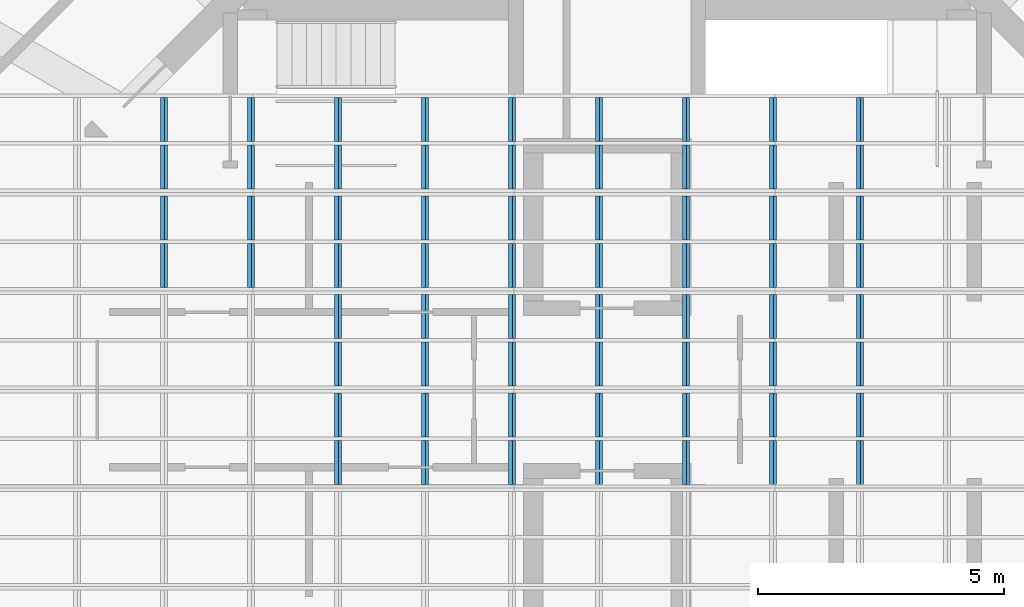
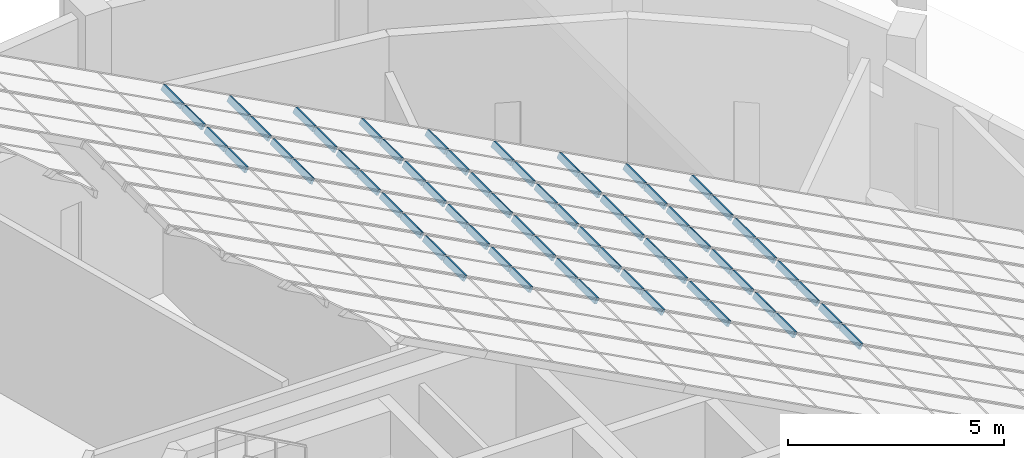
# One storey, part 6 of 19: 64 members, 4 elements without a shape of their own.
"""IFC4 building model written with IfcOpenShell, lengths in metres."""

from ifc_helpers import new_model, si_unit, direction, frame, origin, origin_2d, place, context, subcontext, project, spatial, rectangle, extrude, material, material_profile, profile_set, type_object, element, aggregate, save


model = new_model("IFC4")

# Units and contexts
model_context = context("Model", 3, precision=1e-05, world=origin(), true_north=direction((0.0, 1.0)))
body_context = subcontext(model_context, "Body", "Model", "MODEL_VIEW")
ifc_project = project(units=[si_unit("LENGTHUNIT", "METRE"), si_unit("AREAUNIT", "SQUARE_METRE"), si_unit("VOLUMEUNIT", "CUBIC_METRE"), si_unit("PLANEANGLEUNIT", "RADIAN"), si_unit("MASSUNIT", "GRAM", prefix="KILO")], contexts=[model_context])

# Site, building, storey
site_placement = place(None, origin())
site = spatial("IfcSite", under=ifc_project, at=site_placement, CompositionType="ELEMENT")
building_placement = place(site_placement, origin())
building = spatial("IfcBuilding", under=site, at=building_placement, Name="Torre Triforio", CompositionType="ELEMENT")
storey_placement = place(building_placement, frame((0.0, 0.0, 290.800048828125)))
storey = spatial("IfcBuildingStorey", under=building, at=storey_placement, Name="RF-1", CompositionType="ELEMENT", Elevation=290.800048828125)

# Curtain wall, members
ifc_material_1 = material(Name="Aluminium glazing bars with clear laminated glass", Category="aluminium")
curtain_wall_type = type_object("IfcCurtainWallType", Name="Crown lantern glazing CW4", PredefinedType="NOTDEFINED", material=ifc_material_1)
curtain_wall_1_placement = place(storey_placement, origin())
curtain_wall_1 = element("IfcCurtainWall", 1, at=curtain_wall_1_placement, inside=storey, type_object=curtain_wall_type, Name="Crown lantern run 3", PredefinedType="NOTDEFINED")
ifc_material_2 = material(Name="Anodised aluminium extrusion", Category="aluminium")
ifc_material_profile = material_profile(ifc_material_2, rectangle(XDim=0.070068359375, YDim=0.159912109375, at=origin_2d()), Name="CW4 TRANSOM 70x160")
ifc_profile_set = profile_set([ifc_material_profile], Name="Anodised aluminium extrusion")
member_type = type_object("IfcMemberType", Name="CW4 transom 70 x 160", PredefinedType="USERDEFINED", material=ifc_profile_set)
member_1_placement = place(storey_placement, frame((5.133056640625, -1.929931640625, 10.76513671875), z_axis=(0.0, 1.0, 0.0), x_axis=(-0.882947592859, 0.0, 0.469471562786)))
member_1 = element("IfcMember", 2, at=member_1_placement, type_object=member_type, Name="CW4 transom 3.6.1", ObjectType="TRANSOM", PredefinedType="USERDEFINED", context=body_context, shape_type="SweptSolid", body=[
    extrude(rectangle(XDim=0.070068359375, YDim=0.159912109375, at=origin_2d()), origin(), (0.0, 0.0, 1.0), 0.89501953125),
])
member_2_placement = place(storey_placement, frame((5.133056640625, -0.965087890625, 10.76513671875), z_axis=(0.0, 1.0, 0.0), x_axis=(-0.882947592859, 0.0, 0.469471562786)))
member_2 = element("IfcMember", 3, at=member_2_placement, type_object=member_type, Name="CW4 transom 3.6.2", ObjectType="TRANSOM", PredefinedType="USERDEFINED", context=body_context, shape_type="SweptSolid", body=[
    extrude(rectangle(XDim=0.070068359375, YDim=0.159912109375, at=origin_2d()), origin(), (0.0, 0.0, 1.0), 0.89501953125),
])
member_3_placement = place(storey_placement, frame((3.3671875, -1.929931640625, 11.704345703125), z_axis=(0.0, 1.0, 0.0), x_axis=(-0.882947592859, 0.0, 0.469471562786)))
member_3 = element("IfcMember", 4, at=member_3_placement, type_object=member_type, Name="CW4 transom 3.7.1", ObjectType="TRANSOM", PredefinedType="USERDEFINED", context=body_context, shape_type="SweptSolid", body=[
    extrude(rectangle(XDim=0.070068359375, YDim=0.159912109375, at=origin_2d()), origin(), (0.0, 0.0, 1.0), 0.89501953125),
])
member_4_placement = place(storey_placement, frame((3.3671875, -0.965087890625, 11.704345703125), z_axis=(0.0, 1.0, 0.0), x_axis=(-0.882947592859, 0.0, 0.469471562786)))
member_4 = element("IfcMember", 5, at=member_4_placement, type_object=member_type, Name="CW4 transom 3.7.2", ObjectType="TRANSOM", PredefinedType="USERDEFINED", context=body_context, shape_type="SweptSolid", body=[
    extrude(rectangle(XDim=0.070068359375, YDim=0.159912109375, at=origin_2d()), origin(), (0.0, 0.0, 1.0), 0.89501953125),
])
member_5_placement = place(storey_placement, frame((1.601318359375, -1.929931640625, 12.64306640625), z_axis=(0.0, 1.0, 0.0), x_axis=(-0.882947592859, 0.0, 0.469471562786)))
member_5 = element("IfcMember", 6, at=member_5_placement, type_object=member_type, Name="CW4 transom 3.8.1", ObjectType="TRANSOM", PredefinedType="USERDEFINED", context=body_context, shape_type="SweptSolid", body=[
    extrude(rectangle(XDim=0.070068359375, YDim=0.159912109375, at=origin_2d()), origin(), (0.0, 0.0, 1.0), 0.89501953125),
])
member_6_placement = place(storey_placement, frame((1.601318359375, -0.965087890625, 12.64306640625), z_axis=(0.0, 1.0, 0.0), x_axis=(-0.882947592859, 0.0, 0.469471562786)))
member_6 = element("IfcMember", 7, at=member_6_placement, type_object=member_type, Name="CW4 transom 3.8.2", ObjectType="TRANSOM", PredefinedType="USERDEFINED", context=body_context, shape_type="SweptSolid", body=[
    extrude(rectangle(XDim=0.070068359375, YDim=0.159912109375, at=origin_2d()), origin(), (0.0, 0.0, 1.0), 0.89501953125),
])
member_7_placement = place(storey_placement, frame((-0.164794921875, -1.929931640625, 13.58203125), z_axis=(0.0, 1.0, 0.0), x_axis=(-0.882947592859, 0.0, 0.469471562786)))
member_7 = element("IfcMember", 8, at=member_7_placement, type_object=member_type, Name="CW4 transom 3.9.1", ObjectType="TRANSOM", PredefinedType="USERDEFINED", context=body_context, shape_type="SweptSolid", body=[
    extrude(rectangle(XDim=0.070068359375, YDim=0.159912109375, at=origin_2d()), origin(), (0.0, 0.0, 1.0), 0.89501953125),
])
member_8_placement = place(storey_placement, frame((-0.164794921875, -0.965087890625, 13.58203125), z_axis=(0.0, 1.0, 0.0), x_axis=(-0.882947592859, 0.0, 0.469471562786)))
member_8 = element("IfcMember", 9, at=member_8_placement, type_object=member_type, Name="CW4 transom 3.9.2", ObjectType="TRANSOM", PredefinedType="USERDEFINED", context=body_context, shape_type="SweptSolid", body=[
    extrude(rectangle(XDim=0.070068359375, YDim=0.159912109375, at=origin_2d()), origin(), (0.0, 0.0, 1.0), 0.89501953125),
])
member_9_placement = place(storey_placement, frame((-1.9306640625, -1.929931640625, 14.52099609375), z_axis=(0.0, 1.0, 0.0), x_axis=(-0.882947592859, 0.0, 0.469471562786)))
member_9 = element("IfcMember", 10, at=member_9_placement, type_object=member_type, Name="CW4 transom 3.10.1", ObjectType="TRANSOM", PredefinedType="USERDEFINED", context=body_context, shape_type="SweptSolid", body=[
    extrude(rectangle(XDim=0.070068359375, YDim=0.159912109375, at=origin_2d()), origin(), (0.0, 0.0, 1.0), 0.89501953125),
])
member_10_placement = place(storey_placement, frame((-1.9306640625, -0.965087890625, 14.52099609375), z_axis=(0.0, 1.0, 0.0), x_axis=(-0.882947592859, 0.0, 0.469471562786)))
member_10 = element("IfcMember", 11, at=member_10_placement, type_object=member_type, Name="CW4 transom 3.10.2", ObjectType="TRANSOM", PredefinedType="USERDEFINED", context=body_context, shape_type="SweptSolid", body=[
    extrude(rectangle(XDim=0.070068359375, YDim=0.159912109375, at=origin_2d()), origin(), (0.0, 0.0, 1.0), 0.89501953125),
])
member_11_placement = place(storey_placement, frame((-3.696533203125, -1.929931640625, 15.4599609375), z_axis=(0.0, 1.0, 0.0), x_axis=(-0.882947592859, 0.0, 0.469471562786)))
member_11 = element("IfcMember", 12, at=member_11_placement, type_object=member_type, Name="CW4 transom 3.11.1", ObjectType="TRANSOM", PredefinedType="USERDEFINED", context=body_context, shape_type="SweptSolid", body=[
    extrude(rectangle(XDim=0.070068359375, YDim=0.159912109375, at=origin_2d()), origin(), (0.0, 0.0, 1.0), 0.89501953125),
])
member_12_placement = place(storey_placement, frame((-3.696533203125, -0.965087890625, 15.4599609375), z_axis=(0.0, 1.0, 0.0), x_axis=(-0.882947592859, 0.0, 0.469471562786)))
member_12 = element("IfcMember", 13, at=member_12_placement, type_object=member_type, Name="CW4 transom 3.11.2", ObjectType="TRANSOM", PredefinedType="USERDEFINED", context=body_context, shape_type="SweptSolid", body=[
    extrude(rectangle(XDim=0.070068359375, YDim=0.159912109375, at=origin_2d()), origin(), (0.0, 0.0, 1.0), 0.89501953125),
])
member_13_placement = place(storey_placement, frame((-5.46240234375, -1.929931640625, 16.39892578125), z_axis=(0.0, 1.0, 0.0), x_axis=(-0.882947592859, 0.0, 0.469471562786)))
member_13 = element("IfcMember", 14, at=member_13_placement, type_object=member_type, Name="CW4 transom 3.12.1", ObjectType="TRANSOM", PredefinedType="USERDEFINED", context=body_context, shape_type="SweptSolid", body=[
    extrude(rectangle(XDim=0.070068359375, YDim=0.159912109375, at=origin_2d()), origin(), (0.0, 0.0, 1.0), 0.89501953125),
])
member_14_placement = place(storey_placement, frame((-5.46240234375, -0.965087890625, 16.39892578125), z_axis=(0.0, 1.0, 0.0), x_axis=(-0.882947592859, 0.0, 0.469471562786)))
member_14 = element("IfcMember", 15, at=member_14_placement, type_object=member_type, Name="CW4 transom 3.12.2", ObjectType="TRANSOM", PredefinedType="USERDEFINED", context=body_context, shape_type="SweptSolid", body=[
    extrude(rectangle(XDim=0.070068359375, YDim=0.159912109375, at=origin_2d()), origin(), (0.0, 0.0, 1.0), 0.89501953125),
])
aggregate(curtain_wall_1, [member_1, member_2, member_3, member_4, member_5, member_6, member_7, member_8, member_9, member_10, member_11, member_12, member_13, member_14])

curtain_wall_2_placement = place(storey_placement, origin())
curtain_wall_2 = element("IfcCurtainWall", 16, at=curtain_wall_2_placement, inside=storey, type_object=curtain_wall_type, Name="Crown lantern run 5", PredefinedType="NOTDEFINED")
member_15_placement = place(storey_placement, frame((5.133056640625, 0.070068359375, 10.76513671875), z_axis=(0.0, 1.0, 0.0), x_axis=(-0.882947592859, 0.0, 0.469471562786)))
member_15 = element("IfcMember", 17, at=member_15_placement, type_object=member_type, Name="CW4 transom 5.6.1", ObjectType="TRANSOM", PredefinedType="USERDEFINED", context=body_context, shape_type="SweptSolid", body=[
    extrude(rectangle(XDim=0.070068359375, YDim=0.159912109375, at=origin_2d()), origin(), (0.0, 0.0, 1.0), 0.89501953125),
])
member_16_placement = place(storey_placement, frame((5.133056640625, 1.034912109375, 10.76513671875), z_axis=(0.0, 1.0, 0.0), x_axis=(-0.882947592859, 0.0, 0.469471562786)))
member_16 = element("IfcMember", 18, at=member_16_placement, type_object=member_type, Name="CW4 transom 5.6.2", ObjectType="TRANSOM", PredefinedType="USERDEFINED", context=body_context, shape_type="SweptSolid", body=[
    extrude(rectangle(XDim=0.070068359375, YDim=0.159912109375, at=origin_2d()), origin(), (0.0, 0.0, 1.0), 0.89501953125),
])
member_17_placement = place(storey_placement, frame((3.3671875, 0.070068359375, 11.704345703125), z_axis=(0.0, 1.0, 0.0), x_axis=(-0.882947592859, 0.0, 0.469471562786)))
member_17 = element("IfcMember", 19, at=member_17_placement, type_object=member_type, Name="CW4 transom 5.7.1", ObjectType="TRANSOM", PredefinedType="USERDEFINED", context=body_context, shape_type="SweptSolid", body=[
    extrude(rectangle(XDim=0.070068359375, YDim=0.159912109375, at=origin_2d()), origin(), (0.0, 0.0, 1.0), 0.89501953125),
])
member_18_placement = place(storey_placement, frame((3.3671875, 1.034912109375, 11.704345703125), z_axis=(0.0, 1.0, 0.0), x_axis=(-0.882947592859, 0.0, 0.469471562786)))
member_18 = element("IfcMember", 20, at=member_18_placement, type_object=member_type, Name="CW4 transom 5.7.2", ObjectType="TRANSOM", PredefinedType="USERDEFINED", context=body_context, shape_type="SweptSolid", body=[
    extrude(rectangle(XDim=0.070068359375, YDim=0.159912109375, at=origin_2d()), origin(), (0.0, 0.0, 1.0), 0.89501953125),
])
member_19_placement = place(storey_placement, frame((1.601318359375, 0.070068359375, 12.64306640625), z_axis=(0.0, 1.0, 0.0), x_axis=(-0.882947592859, 0.0, 0.469471562786)))
member_19 = element("IfcMember", 21, at=member_19_placement, type_object=member_type, Name="CW4 transom 5.8.1", ObjectType="TRANSOM", PredefinedType="USERDEFINED", context=body_context, shape_type="SweptSolid", body=[
    extrude(rectangle(XDim=0.070068359375, YDim=0.159912109375, at=origin_2d()), origin(), (0.0, 0.0, 1.0), 0.89501953125),
])
member_20_placement = place(storey_placement, frame((1.601318359375, 1.034912109375, 12.64306640625), z_axis=(0.0, 1.0, 0.0), x_axis=(-0.882947592859, 0.0, 0.469471562786)))
member_20 = element("IfcMember", 22, at=member_20_placement, type_object=member_type, Name="CW4 transom 5.8.2", ObjectType="TRANSOM", PredefinedType="USERDEFINED", context=body_context, shape_type="SweptSolid", body=[
    extrude(rectangle(XDim=0.070068359375, YDim=0.159912109375, at=origin_2d()), origin(), (0.0, 0.0, 1.0), 0.89501953125),
])
member_21_placement = place(storey_placement, frame((-0.164794921875, 0.070068359375, 13.58203125), z_axis=(0.0, 1.0, 0.0), x_axis=(-0.882947592859, 0.0, 0.469471562786)))
member_21 = element("IfcMember", 23, at=member_21_placement, type_object=member_type, Name="CW4 transom 5.9.1", ObjectType="TRANSOM", PredefinedType="USERDEFINED", context=body_context, shape_type="SweptSolid", body=[
    extrude(rectangle(XDim=0.070068359375, YDim=0.159912109375, at=origin_2d()), origin(), (0.0, 0.0, 1.0), 0.89501953125),
])
member_22_placement = place(storey_placement, frame((-0.164794921875, 1.034912109375, 13.58203125), z_axis=(0.0, 1.0, 0.0), x_axis=(-0.882947592859, 0.0, 0.469471562786)))
member_22 = element("IfcMember", 24, at=member_22_placement, type_object=member_type, Name="CW4 transom 5.9.2", ObjectType="TRANSOM", PredefinedType="USERDEFINED", context=body_context, shape_type="SweptSolid", body=[
    extrude(rectangle(XDim=0.070068359375, YDim=0.159912109375, at=origin_2d()), origin(), (0.0, 0.0, 1.0), 0.89501953125),
])
member_23_placement = place(storey_placement, frame((-1.9306640625, 0.070068359375, 14.52099609375), z_axis=(0.0, 1.0, 0.0), x_axis=(-0.882947592859, 0.0, 0.469471562786)))
member_23 = element("IfcMember", 25, at=member_23_placement, type_object=member_type, Name="CW4 transom 5.10.1", ObjectType="TRANSOM", PredefinedType="USERDEFINED", context=body_context, shape_type="SweptSolid", body=[
    extrude(rectangle(XDim=0.070068359375, YDim=0.159912109375, at=origin_2d()), origin(), (0.0, 0.0, 1.0), 0.89501953125),
])
member_24_placement = place(storey_placement, frame((-1.9306640625, 1.034912109375, 14.52099609375), z_axis=(0.0, 1.0, 0.0), x_axis=(-0.882947592859, 0.0, 0.469471562786)))
member_24 = element("IfcMember", 26, at=member_24_placement, type_object=member_type, Name="CW4 transom 5.10.2", ObjectType="TRANSOM", PredefinedType="USERDEFINED", context=body_context, shape_type="SweptSolid", body=[
    extrude(rectangle(XDim=0.070068359375, YDim=0.159912109375, at=origin_2d()), origin(), (0.0, 0.0, 1.0), 0.89501953125),
])
member_25_placement = place(storey_placement, frame((-3.696533203125, 0.070068359375, 15.4599609375), z_axis=(0.0, 1.0, 0.0), x_axis=(-0.882947592859, 0.0, 0.469471562786)))
member_25 = element("IfcMember", 27, at=member_25_placement, type_object=member_type, Name="CW4 transom 5.11.1", ObjectType="TRANSOM", PredefinedType="USERDEFINED", context=body_context, shape_type="SweptSolid", body=[
    extrude(rectangle(XDim=0.070068359375, YDim=0.159912109375, at=origin_2d()), origin(), (0.0, 0.0, 1.0), 0.89501953125),
])
member_26_placement = place(storey_placement, frame((-3.696533203125, 1.034912109375, 15.4599609375), z_axis=(0.0, 1.0, 0.0), x_axis=(-0.882947592859, 0.0, 0.469471562786)))
member_26 = element("IfcMember", 28, at=member_26_placement, type_object=member_type, Name="CW4 transom 5.11.2", ObjectType="TRANSOM", PredefinedType="USERDEFINED", context=body_context, shape_type="SweptSolid", body=[
    extrude(rectangle(XDim=0.070068359375, YDim=0.159912109375, at=origin_2d()), origin(), (0.0, 0.0, 1.0), 0.89501953125),
])
member_27_placement = place(storey_placement, frame((-5.46240234375, 0.070068359375, 16.39892578125), z_axis=(0.0, 1.0, 0.0), x_axis=(-0.882947592859, 0.0, 0.469471562786)))
member_27 = element("IfcMember", 29, at=member_27_placement, type_object=member_type, Name="CW4 transom 5.12.1", ObjectType="TRANSOM", PredefinedType="USERDEFINED", context=body_context, shape_type="SweptSolid", body=[
    extrude(rectangle(XDim=0.070068359375, YDim=0.159912109375, at=origin_2d()), origin(), (0.0, 0.0, 1.0), 0.89501953125),
])
member_28_placement = place(storey_placement, frame((-5.46240234375, 1.034912109375, 16.39892578125), z_axis=(0.0, 1.0, 0.0), x_axis=(-0.882947592859, 0.0, 0.469471562786)))
member_28 = element("IfcMember", 30, at=member_28_placement, type_object=member_type, Name="CW4 transom 5.12.2", ObjectType="TRANSOM", PredefinedType="USERDEFINED", context=body_context, shape_type="SweptSolid", body=[
    extrude(rectangle(XDim=0.070068359375, YDim=0.159912109375, at=origin_2d()), origin(), (0.0, 0.0, 1.0), 0.89501953125),
])
aggregate(curtain_wall_2, [member_15, member_16, member_17, member_18, member_19, member_20, member_21, member_22, member_23, member_24, member_25, member_26, member_27, member_28])

curtain_wall_3_placement = place(storey_placement, origin())
curtain_wall_3 = element("IfcCurtainWall", 31, at=curtain_wall_3_placement, inside=storey, type_object=curtain_wall_type, Name="Crown lantern run 7", PredefinedType="NOTDEFINED")
member_29_placement = place(storey_placement, frame((5.133056640625, 2.070068359375, 10.76513671875), z_axis=(0.0, 1.0, 0.0), x_axis=(-0.882947592859, 0.0, 0.469471562786)))
member_29 = element("IfcMember", 32, at=member_29_placement, type_object=member_type, Name="CW4 transom 7.6.1", ObjectType="TRANSOM", PredefinedType="USERDEFINED", context=body_context, shape_type="SweptSolid", body=[
    extrude(rectangle(XDim=0.070068359375, YDim=0.159912109375, at=origin_2d()), origin(), (0.0, 0.0, 1.0), 0.89501953125),
])
member_30_placement = place(storey_placement, frame((5.133056640625, 3.034912109375, 10.76513671875), z_axis=(0.0, 1.0, 0.0), x_axis=(-0.882947592859, 0.0, 0.469471562786)))
member_30 = element("IfcMember", 33, at=member_30_placement, type_object=member_type, Name="CW4 transom 7.6.2", ObjectType="TRANSOM", PredefinedType="USERDEFINED", context=body_context, shape_type="SweptSolid", body=[
    extrude(rectangle(XDim=0.070068359375, YDim=0.159912109375, at=origin_2d()), origin(), (0.0, 0.0, 1.0), 0.89501953125),
])
member_31_placement = place(storey_placement, frame((3.3671875, 2.070068359375, 11.704345703125), z_axis=(0.0, 1.0, 0.0), x_axis=(-0.882947592859, 0.0, 0.469471562786)))
member_31 = element("IfcMember", 34, at=member_31_placement, type_object=member_type, Name="CW4 transom 7.7.1", ObjectType="TRANSOM", PredefinedType="USERDEFINED", context=body_context, shape_type="SweptSolid", body=[
    extrude(rectangle(XDim=0.070068359375, YDim=0.159912109375, at=origin_2d()), origin(), (0.0, 0.0, 1.0), 0.89501953125),
])
member_32_placement = place(storey_placement, frame((3.3671875, 3.034912109375, 11.704345703125), z_axis=(0.0, 1.0, 0.0), x_axis=(-0.882947592859, 0.0, 0.469471562786)))
member_32 = element("IfcMember", 35, at=member_32_placement, type_object=member_type, Name="CW4 transom 7.7.2", ObjectType="TRANSOM", PredefinedType="USERDEFINED", context=body_context, shape_type="SweptSolid", body=[
    extrude(rectangle(XDim=0.070068359375, YDim=0.159912109375, at=origin_2d()), origin(), (0.0, 0.0, 1.0), 0.89501953125),
])
member_33_placement = place(storey_placement, frame((1.601318359375, 2.070068359375, 12.64306640625), z_axis=(0.0, 1.0, 0.0), x_axis=(-0.882947592859, 0.0, 0.469471562786)))
member_33 = element("IfcMember", 36, at=member_33_placement, type_object=member_type, Name="CW4 transom 7.8.1", ObjectType="TRANSOM", PredefinedType="USERDEFINED", context=body_context, shape_type="SweptSolid", body=[
    extrude(rectangle(XDim=0.070068359375, YDim=0.159912109375, at=origin_2d()), origin(), (0.0, 0.0, 1.0), 0.89501953125),
])
member_34_placement = place(storey_placement, frame((1.601318359375, 3.034912109375, 12.64306640625), z_axis=(0.0, 1.0, 0.0), x_axis=(-0.882947592859, 0.0, 0.469471562786)))
member_34 = element("IfcMember", 37, at=member_34_placement, type_object=member_type, Name="CW4 transom 7.8.2", ObjectType="TRANSOM", PredefinedType="USERDEFINED", context=body_context, shape_type="SweptSolid", body=[
    extrude(rectangle(XDim=0.070068359375, YDim=0.159912109375, at=origin_2d()), origin(), (0.0, 0.0, 1.0), 0.89501953125),
])
member_35_placement = place(storey_placement, frame((-0.164794921875, 2.070068359375, 13.58203125), z_axis=(0.0, 1.0, 0.0), x_axis=(-0.882947592859, 0.0, 0.469471562786)))
member_35 = element("IfcMember", 38, at=member_35_placement, type_object=member_type, Name="CW4 transom 7.9.1", ObjectType="TRANSOM", PredefinedType="USERDEFINED", context=body_context, shape_type="SweptSolid", body=[
    extrude(rectangle(XDim=0.070068359375, YDim=0.159912109375, at=origin_2d()), origin(), (0.0, 0.0, 1.0), 0.89501953125),
])
member_36_placement = place(storey_placement, frame((-0.164794921875, 3.034912109375, 13.58203125), z_axis=(0.0, 1.0, 0.0), x_axis=(-0.882947592859, 0.0, 0.469471562786)))
member_36 = element("IfcMember", 39, at=member_36_placement, type_object=member_type, Name="CW4 transom 7.9.2", ObjectType="TRANSOM", PredefinedType="USERDEFINED", context=body_context, shape_type="SweptSolid", body=[
    extrude(rectangle(XDim=0.070068359375, YDim=0.159912109375, at=origin_2d()), origin(), (0.0, 0.0, 1.0), 0.89501953125),
])
member_37_placement = place(storey_placement, frame((-1.9306640625, 2.070068359375, 14.52099609375), z_axis=(0.0, 1.0, 0.0), x_axis=(-0.882947592859, 0.0, 0.469471562786)))
member_37 = element("IfcMember", 40, at=member_37_placement, type_object=member_type, Name="CW4 transom 7.10.1", ObjectType="TRANSOM", PredefinedType="USERDEFINED", context=body_context, shape_type="SweptSolid", body=[
    extrude(rectangle(XDim=0.070068359375, YDim=0.159912109375, at=origin_2d()), origin(), (0.0, 0.0, 1.0), 0.89501953125),
])
member_38_placement = place(storey_placement, frame((-1.9306640625, 3.034912109375, 14.52099609375), z_axis=(0.0, 1.0, 0.0), x_axis=(-0.882947592859, 0.0, 0.469471562786)))
member_38 = element("IfcMember", 41, at=member_38_placement, type_object=member_type, Name="CW4 transom 7.10.2", ObjectType="TRANSOM", PredefinedType="USERDEFINED", context=body_context, shape_type="SweptSolid", body=[
    extrude(rectangle(XDim=0.070068359375, YDim=0.159912109375, at=origin_2d()), origin(), (0.0, 0.0, 1.0), 0.89501953125),
])
member_39_placement = place(storey_placement, frame((-3.696533203125, 2.070068359375, 15.4599609375), z_axis=(0.0, 1.0, 0.0), x_axis=(-0.882947592859, 0.0, 0.469471562786)))
member_39 = element("IfcMember", 42, at=member_39_placement, type_object=member_type, Name="CW4 transom 7.11.1", ObjectType="TRANSOM", PredefinedType="USERDEFINED", context=body_context, shape_type="SweptSolid", body=[
    extrude(rectangle(XDim=0.070068359375, YDim=0.159912109375, at=origin_2d()), origin(), (0.0, 0.0, 1.0), 0.89501953125),
])
member_40_placement = place(storey_placement, frame((-3.696533203125, 3.034912109375, 15.4599609375), z_axis=(0.0, 1.0, 0.0), x_axis=(-0.882947592859, 0.0, 0.469471562786)))
member_40 = element("IfcMember", 43, at=member_40_placement, type_object=member_type, Name="CW4 transom 7.11.2", ObjectType="TRANSOM", PredefinedType="USERDEFINED", context=body_context, shape_type="SweptSolid", body=[
    extrude(rectangle(XDim=0.070068359375, YDim=0.159912109375, at=origin_2d()), origin(), (0.0, 0.0, 1.0), 0.89501953125),
])
member_41_placement = place(storey_placement, frame((-5.46240234375, 2.070068359375, 16.39892578125), z_axis=(0.0, 1.0, 0.0), x_axis=(-0.882947592859, 0.0, 0.469471562786)))
member_41 = element("IfcMember", 44, at=member_41_placement, type_object=member_type, Name="CW4 transom 7.12.1", ObjectType="TRANSOM", PredefinedType="USERDEFINED", context=body_context, shape_type="SweptSolid", body=[
    extrude(rectangle(XDim=0.070068359375, YDim=0.159912109375, at=origin_2d()), origin(), (0.0, 0.0, 1.0), 0.89501953125),
])
member_42_placement = place(storey_placement, frame((-5.46240234375, 3.034912109375, 16.39892578125), z_axis=(0.0, 1.0, 0.0), x_axis=(-0.882947592859, 0.0, 0.469471562786)))
member_42 = element("IfcMember", 45, at=member_42_placement, type_object=member_type, Name="CW4 transom 7.12.2", ObjectType="TRANSOM", PredefinedType="USERDEFINED", context=body_context, shape_type="SweptSolid", body=[
    extrude(rectangle(XDim=0.070068359375, YDim=0.159912109375, at=origin_2d()), origin(), (0.0, 0.0, 1.0), 0.89501953125),
])
member_43_placement = place(storey_placement, frame((-7.228271484375, 2.070068359375, 17.337890625), z_axis=(0.0, 1.0, 0.0), x_axis=(-0.882947592859, 0.0, 0.469471562786)))
member_43 = element("IfcMember", 46, at=member_43_placement, type_object=member_type, Name="CW4 transom 7.13.1", ObjectType="TRANSOM", PredefinedType="USERDEFINED", context=body_context, shape_type="SweptSolid", body=[
    extrude(rectangle(XDim=0.070068359375, YDim=0.159912109375, at=origin_2d()), origin(), (0.0, 0.0, 1.0), 0.89501953125),
])
member_44_placement = place(storey_placement, frame((-7.228271484375, 3.034912109375, 17.337890625), z_axis=(0.0, 1.0, 0.0), x_axis=(-0.882947592859, 0.0, 0.469471562786)))
member_44 = element("IfcMember", 47, at=member_44_placement, type_object=member_type, Name="CW4 transom 7.13.2", ObjectType="TRANSOM", PredefinedType="USERDEFINED", context=body_context, shape_type="SweptSolid", body=[
    extrude(rectangle(XDim=0.070068359375, YDim=0.159912109375, at=origin_2d()), origin(), (0.0, 0.0, 1.0), 0.89501953125),
])
member_45_placement = place(storey_placement, frame((-8.994140625, 2.070068359375, 18.27685546875), z_axis=(0.0, 1.0, 0.0), x_axis=(-0.882947592859, 0.0, 0.469471562786)))
member_45 = element("IfcMember", 48, at=member_45_placement, type_object=member_type, Name="CW4 transom 7.14.1", ObjectType="TRANSOM", PredefinedType="USERDEFINED", context=body_context, shape_type="SweptSolid", body=[
    extrude(rectangle(XDim=0.070068359375, YDim=0.159912109375, at=origin_2d()), origin(), (0.0, 0.0, 1.0), 0.89501953125),
])
member_46_placement = place(storey_placement, frame((-8.994140625, 3.034912109375, 18.27685546875), z_axis=(0.0, 1.0, 0.0), x_axis=(-0.882947592859, 0.0, 0.469471562786)))
member_46 = element("IfcMember", 49, at=member_46_placement, type_object=member_type, Name="CW4 transom 7.14.2", ObjectType="TRANSOM", PredefinedType="USERDEFINED", context=body_context, shape_type="SweptSolid", body=[
    extrude(rectangle(XDim=0.070068359375, YDim=0.159912109375, at=origin_2d()), origin(), (0.0, 0.0, 1.0), 0.89501953125),
])
aggregate(curtain_wall_3, [member_29, member_30, member_31, member_32, member_33, member_34, member_35, member_36, member_37, member_38, member_39, member_40, member_41, member_42, member_43, member_44, member_45, member_46])

curtain_wall_4_placement = place(storey_placement, origin())
curtain_wall_4 = element("IfcCurtainWall", 50, at=curtain_wall_4_placement, inside=storey, type_object=curtain_wall_type, Name="Crown lantern run 8", PredefinedType="NOTDEFINED")
member_47_placement = place(storey_placement, frame((5.133056640625, 4.070068359375, 10.76513671875), z_axis=(0.0, 1.0, 0.0), x_axis=(-0.882947592859, 0.0, 0.469471562786)))
member_47 = element("IfcMember", 51, at=member_47_placement, type_object=member_type, Name="CW4 transom 8.6.1", ObjectType="TRANSOM", PredefinedType="USERDEFINED", context=body_context, shape_type="SweptSolid", body=[
    extrude(rectangle(XDim=0.070068359375, YDim=0.159912109375, at=origin_2d()), origin(), (0.0, 0.0, 1.0), 0.89501953125),
])
member_48_placement = place(storey_placement, frame((5.133056640625, 5.034912109375, 10.76513671875), z_axis=(0.0, 1.0, 0.0), x_axis=(-0.882947592859, 0.0, 0.469471562786)))
member_48 = element("IfcMember", 52, at=member_48_placement, type_object=member_type, Name="CW4 transom 8.6.2", ObjectType="TRANSOM", PredefinedType="USERDEFINED", context=body_context, shape_type="SweptSolid", body=[
    extrude(rectangle(XDim=0.070068359375, YDim=0.159912109375, at=origin_2d()), origin(), (0.0, 0.0, 1.0), 0.89501953125),
])
member_49_placement = place(storey_placement, frame((3.3671875, 4.070068359375, 11.704345703125), z_axis=(0.0, 1.0, 0.0), x_axis=(-0.882947592859, 0.0, 0.469471562786)))
member_49 = element("IfcMember", 53, at=member_49_placement, type_object=member_type, Name="CW4 transom 8.7.1", ObjectType="TRANSOM", PredefinedType="USERDEFINED", context=body_context, shape_type="SweptSolid", body=[
    extrude(rectangle(XDim=0.070068359375, YDim=0.159912109375, at=origin_2d()), origin(), (0.0, 0.0, 1.0), 0.89501953125),
])
member_50_placement = place(storey_placement, frame((3.3671875, 5.034912109375, 11.704345703125), z_axis=(0.0, 1.0, 0.0), x_axis=(-0.882947592859, 0.0, 0.469471562786)))
member_50 = element("IfcMember", 54, at=member_50_placement, type_object=member_type, Name="CW4 transom 8.7.2", ObjectType="TRANSOM", PredefinedType="USERDEFINED", context=body_context, shape_type="SweptSolid", body=[
    extrude(rectangle(XDim=0.070068359375, YDim=0.159912109375, at=origin_2d()), origin(), (0.0, 0.0, 1.0), 0.89501953125),
])
member_51_placement = place(storey_placement, frame((1.601318359375, 4.070068359375, 12.64306640625), z_axis=(0.0, 1.0, 0.0), x_axis=(-0.882947592859, 0.0, 0.469471562786)))
member_51 = element("IfcMember", 55, at=member_51_placement, type_object=member_type, Name="CW4 transom 8.8.1", ObjectType="TRANSOM", PredefinedType="USERDEFINED", context=body_context, shape_type="SweptSolid", body=[
    extrude(rectangle(XDim=0.070068359375, YDim=0.159912109375, at=origin_2d()), origin(), (0.0, 0.0, 1.0), 0.89501953125),
])
member_52_placement = place(storey_placement, frame((1.601318359375, 5.034912109375, 12.64306640625), z_axis=(0.0, 1.0, 0.0), x_axis=(-0.882947592859, 0.0, 0.469471562786)))
member_52 = element("IfcMember", 56, at=member_52_placement, type_object=member_type, Name="CW4 transom 8.8.2", ObjectType="TRANSOM", PredefinedType="USERDEFINED", context=body_context, shape_type="SweptSolid", body=[
    extrude(rectangle(XDim=0.070068359375, YDim=0.159912109375, at=origin_2d()), origin(), (0.0, 0.0, 1.0), 0.89501953125),
])
member_53_placement = place(storey_placement, frame((-0.164794921875, 4.070068359375, 13.58203125), z_axis=(0.0, 1.0, 0.0), x_axis=(-0.882947592859, 0.0, 0.469471562786)))
member_53 = element("IfcMember", 57, at=member_53_placement, type_object=member_type, Name="CW4 transom 8.9.1", ObjectType="TRANSOM", PredefinedType="USERDEFINED", context=body_context, shape_type="SweptSolid", body=[
    extrude(rectangle(XDim=0.070068359375, YDim=0.159912109375, at=origin_2d()), origin(), (0.0, 0.0, 1.0), 0.89501953125),
])
member_54_placement = place(storey_placement, frame((-0.164794921875, 5.034912109375, 13.58203125), z_axis=(0.0, 1.0, 0.0), x_axis=(-0.882947592859, 0.0, 0.469471562786)))
member_54 = element("IfcMember", 58, at=member_54_placement, type_object=member_type, Name="CW4 transom 8.9.2", ObjectType="TRANSOM", PredefinedType="USERDEFINED", context=body_context, shape_type="SweptSolid", body=[
    extrude(rectangle(XDim=0.070068359375, YDim=0.159912109375, at=origin_2d()), origin(), (0.0, 0.0, 1.0), 0.89501953125),
])
member_55_placement = place(storey_placement, frame((-1.9306640625, 4.070068359375, 14.52099609375), z_axis=(0.0, 1.0, 0.0), x_axis=(-0.882947592859, 0.0, 0.469471562786)))
member_55 = element("IfcMember", 59, at=member_55_placement, type_object=member_type, Name="CW4 transom 8.10.1", ObjectType="TRANSOM", PredefinedType="USERDEFINED", context=body_context, shape_type="SweptSolid", body=[
    extrude(rectangle(XDim=0.070068359375, YDim=0.159912109375, at=origin_2d()), origin(), (0.0, 0.0, 1.0), 0.89501953125),
])
member_56_placement = place(storey_placement, frame((-1.9306640625, 5.034912109375, 14.52099609375), z_axis=(0.0, 1.0, 0.0), x_axis=(-0.882947592859, 0.0, 0.469471562786)))
member_56 = element("IfcMember", 60, at=member_56_placement, type_object=member_type, Name="CW4 transom 8.10.2", ObjectType="TRANSOM", PredefinedType="USERDEFINED", context=body_context, shape_type="SweptSolid", body=[
    extrude(rectangle(XDim=0.070068359375, YDim=0.159912109375, at=origin_2d()), origin(), (0.0, 0.0, 1.0), 0.89501953125),
])
member_57_placement = place(storey_placement, frame((-3.696533203125, 4.070068359375, 15.4599609375), z_axis=(0.0, 1.0, 0.0), x_axis=(-0.882947592859, 0.0, 0.469471562786)))
member_57 = element("IfcMember", 61, at=member_57_placement, type_object=member_type, Name="CW4 transom 8.11.1", ObjectType="TRANSOM", PredefinedType="USERDEFINED", context=body_context, shape_type="SweptSolid", body=[
    extrude(rectangle(XDim=0.070068359375, YDim=0.159912109375, at=origin_2d()), origin(), (0.0, 0.0, 1.0), 0.89501953125),
])
member_58_placement = place(storey_placement, frame((-3.696533203125, 5.034912109375, 15.4599609375), z_axis=(0.0, 1.0, 0.0), x_axis=(-0.882947592859, 0.0, 0.469471562786)))
member_58 = element("IfcMember", 62, at=member_58_placement, type_object=member_type, Name="CW4 transom 8.11.2", ObjectType="TRANSOM", PredefinedType="USERDEFINED", context=body_context, shape_type="SweptSolid", body=[
    extrude(rectangle(XDim=0.070068359375, YDim=0.159912109375, at=origin_2d()), origin(), (0.0, 0.0, 1.0), 0.89501953125),
])
member_59_placement = place(storey_placement, frame((-5.46240234375, 4.070068359375, 16.39892578125), z_axis=(0.0, 1.0, 0.0), x_axis=(-0.882947592859, 0.0, 0.469471562786)))
member_59 = element("IfcMember", 63, at=member_59_placement, type_object=member_type, Name="CW4 transom 8.12.1", ObjectType="TRANSOM", PredefinedType="USERDEFINED", context=body_context, shape_type="SweptSolid", body=[
    extrude(rectangle(XDim=0.070068359375, YDim=0.159912109375, at=origin_2d()), origin(), (0.0, 0.0, 1.0), 0.89501953125),
])
member_60_placement = place(storey_placement, frame((-5.46240234375, 5.034912109375, 16.39892578125), z_axis=(0.0, 1.0, 0.0), x_axis=(-0.882947592859, 0.0, 0.469471562786)))
member_60 = element("IfcMember", 64, at=member_60_placement, type_object=member_type, Name="CW4 transom 8.12.2", ObjectType="TRANSOM", PredefinedType="USERDEFINED", context=body_context, shape_type="SweptSolid", body=[
    extrude(rectangle(XDim=0.070068359375, YDim=0.159912109375, at=origin_2d()), origin(), (0.0, 0.0, 1.0), 0.89501953125),
])
member_61_placement = place(storey_placement, frame((-7.228271484375, 4.070068359375, 17.337890625), z_axis=(0.0, 1.0, 0.0), x_axis=(-0.882947592859, 0.0, 0.469471562786)))
member_61 = element("IfcMember", 65, at=member_61_placement, type_object=member_type, Name="CW4 transom 8.13.1", ObjectType="TRANSOM", PredefinedType="USERDEFINED", context=body_context, shape_type="SweptSolid", body=[
    extrude(rectangle(XDim=0.070068359375, YDim=0.159912109375, at=origin_2d()), origin(), (0.0, 0.0, 1.0), 0.89501953125),
])
member_62_placement = place(storey_placement, frame((-7.228271484375, 5.034912109375, 17.337890625), z_axis=(0.0, 1.0, 0.0), x_axis=(-0.882947592859, 0.0, 0.469471562786)))
member_62 = element("IfcMember", 66, at=member_62_placement, type_object=member_type, Name="CW4 transom 8.13.2", ObjectType="TRANSOM", PredefinedType="USERDEFINED", context=body_context, shape_type="SweptSolid", body=[
    extrude(rectangle(XDim=0.070068359375, YDim=0.159912109375, at=origin_2d()), origin(), (0.0, 0.0, 1.0), 0.89501953125),
])
member_63_placement = place(storey_placement, frame((-8.994140625, 4.070068359375, 18.27685546875), z_axis=(0.0, 1.0, 0.0), x_axis=(-0.882947592859, 0.0, 0.469471562786)))
member_63 = element("IfcMember", 67, at=member_63_placement, type_object=member_type, Name="CW4 transom 8.14.1", ObjectType="TRANSOM", PredefinedType="USERDEFINED", context=body_context, shape_type="SweptSolid", body=[
    extrude(rectangle(XDim=0.070068359375, YDim=0.159912109375, at=origin_2d()), origin(), (0.0, 0.0, 1.0), 0.89501953125),
])
member_64_placement = place(storey_placement, frame((-8.994140625, 5.034912109375, 18.27685546875), z_axis=(0.0, 1.0, 0.0), x_axis=(-0.882947592859, 0.0, 0.469471562786)))
member_64 = element("IfcMember", 68, at=member_64_placement, type_object=member_type, Name="CW4 transom 8.14.2", ObjectType="TRANSOM", PredefinedType="USERDEFINED", context=body_context, shape_type="SweptSolid", body=[
    extrude(rectangle(XDim=0.070068359375, YDim=0.159912109375, at=origin_2d()), origin(), (0.0, 0.0, 1.0), 0.89501953125),
])
aggregate(curtain_wall_4, [member_47, member_48, member_49, member_50, member_51, member_52, member_53, member_54, member_55, member_56, member_57, member_58, member_59, member_60, member_61, member_62, member_63, member_64])

save(model, "model.ifc")
